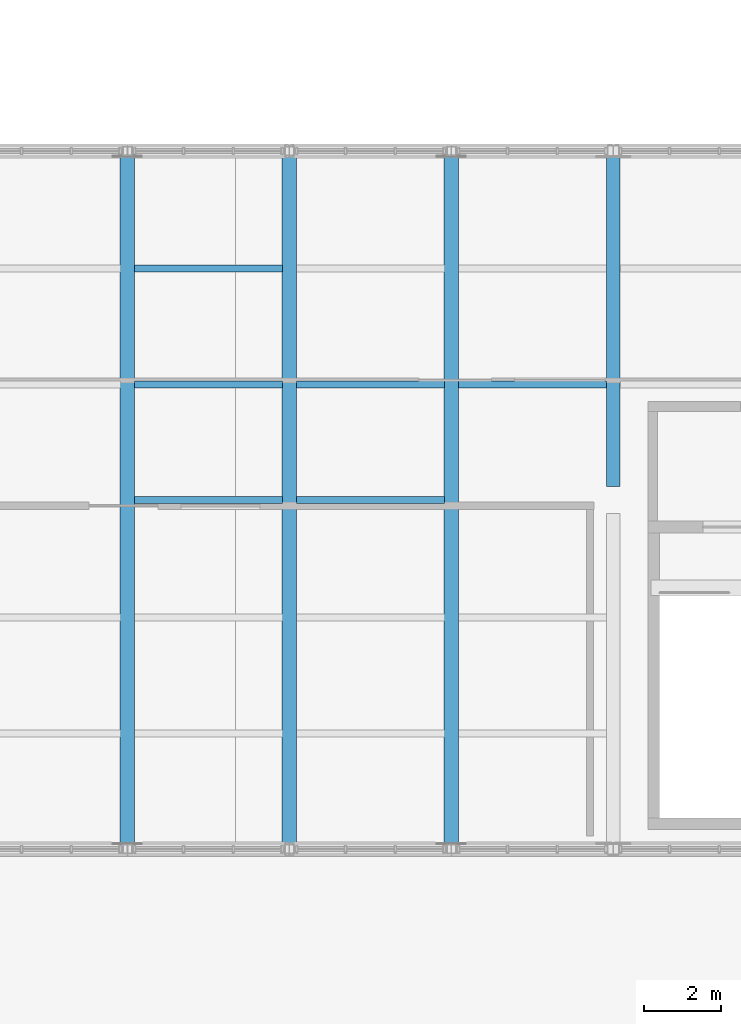
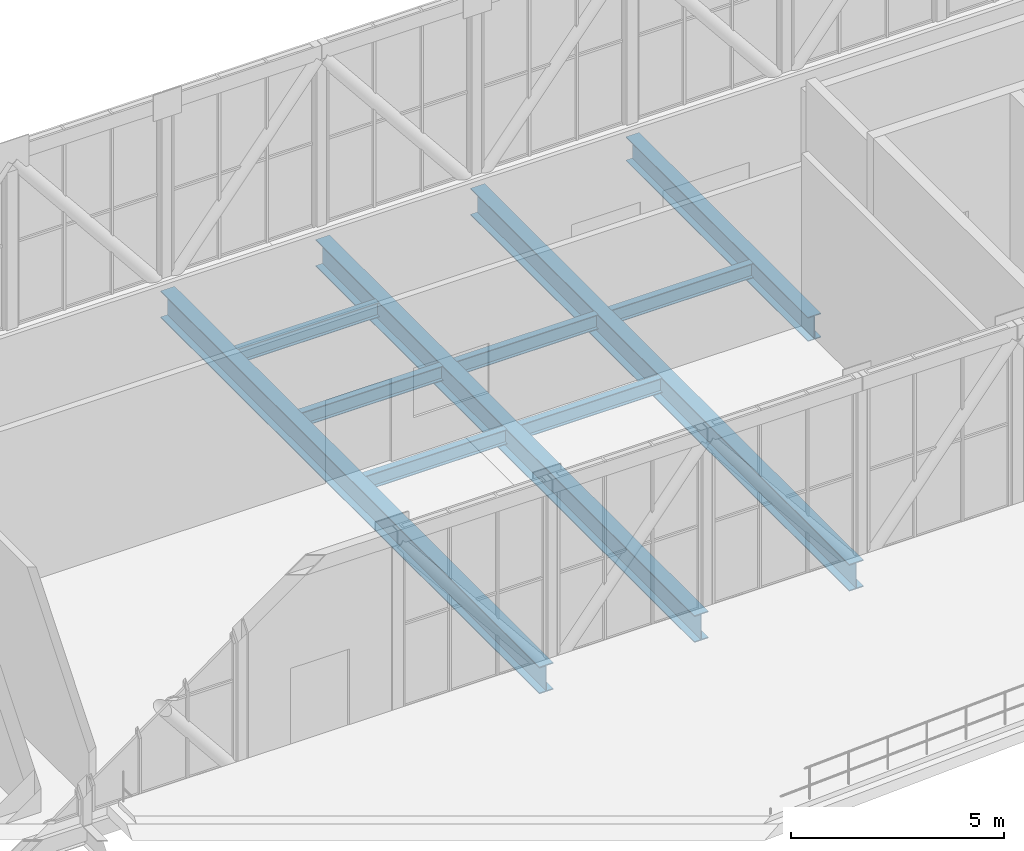
# One storey, part 21 of 58: 10 beams.
"""IFC4 building model written with IfcOpenShell, lengths in metres."""

from ifc_helpers import new_model, si_unit, direction, frame, origin, origin_2d, place, context, subcontext, project, spatial, i_section, extrude, material, material_profile, profile_set, type_object, element, save


model = new_model("IFC4")

# Units and contexts
model_context = context("Model", 3, precision=1e-05, world=origin(), true_north=direction((0.0, 1.0)))
body_context = subcontext(model_context, "Body", "Model", "MODEL_VIEW")
ifc_project = project(units=[si_unit("LENGTHUNIT", "METRE"), si_unit("AREAUNIT", "SQUARE_METRE"), si_unit("VOLUMEUNIT", "CUBIC_METRE"), si_unit("PLANEANGLEUNIT", "RADIAN"), si_unit("MASSUNIT", "GRAM", prefix="KILO")], contexts=[model_context])

# Site, building, storey
site_placement = place(None, origin())
site = spatial("IfcSite", under=ifc_project, at=site_placement, CompositionType="ELEMENT")
building_placement = place(site_placement, origin())
building = spatial("IfcBuilding", under=site, at=building_placement, Name="Khurvash Pelagic Aquarium", CompositionType="ELEMENT")
storey_placement = place(building_placement, frame((0.0, 0.0, 24.60009765625)))
storey = spatial("IfcBuildingStorey", under=building, at=storey_placement, Name="L05", CompositionType="ELEMENT", Elevation=24.60009765625)

# Beams
ifc_material = material(Name="Steel ASTM A992 Grade 50", Category="steel")
ifc_material_profile_1 = material_profile(ifc_material, i_section(OverallWidth=0.381103515625, OverallDepth=0.77197265625, WebThickness=0.0166015625, FlangeThickness=0.027099609375, at=origin_2d()), Name="W30X173")
ifc_profile_set_1 = profile_set([ifc_material_profile_1], Name="Steel ASTM A992 Grade 50")
beam_type_1 = type_object("IfcBeamType", Name="BM-08", PredefinedType="BEAM", material=ifc_profile_set_1)
for number, where, z_axis, x_axis, name in (
    (1, (46.199951171875, 11.81005859375, -0.68603515625), (0.0, 1.0, 0.0), (-1.0, 0.0, 0.0), "L05 Sky-Bar Transverse Floor Girder BM-08 N09"),
    (2, (50.39990234375, 11.81005859375, -0.68603515625), (0.0, 1.0, 0.0), (-1.0, 0.0, 0.0), "L05 Sky-Bar Transverse Floor Girder BM-08 N10"),
    (3, (54.60009765625, 11.81005859375, -0.68603515625), (0.0, 1.0, 0.0), (-1.0, 0.0, 0.0), "L05 Sky-Bar Transverse Floor Girder BM-08 N11"),
):
    element("IfcBeam", number, at=place(storey_placement, frame(where, z_axis=z_axis, x_axis=x_axis)), inside=storey, type_object=beam_type_1, Name=name, PredefinedType="BEAM", context=body_context, shape_type="SweptSolid", body=[
        extrude(i_section(OverallWidth=0.381103515625, OverallDepth=0.77197265625, WebThickness=0.0166015625, FlangeThickness=0.027099609375, at=origin_2d()), origin(), (0.0, 0.0, 1.0), 17.780029296875),
    ])
ifc_material_profile_2 = material_profile(ifc_material, i_section(OverallWidth=0.35595703125, OverallDepth=0.696044921875, WebThickness=0.015380859375, FlangeThickness=0.02490234375, at=origin_2d()), Name="W27X146")
ifc_profile_set_2 = profile_set([ifc_material_profile_2], Name="Steel ASTM A992 Grade 50")
beam_type_2 = type_object("IfcBeamType", Name="BM-09", PredefinedType="BEAM", material=ifc_profile_set_2)
beam_1_placement = place(storey_placement, frame((58.800048828125, 21.050048828125, -0.648193359375), z_axis=(0.0, 1.0, 0.0), x_axis=(-1.0, 0.0, 0.0)))
element("IfcBeam", 4, at=beam_1_placement, inside=storey, type_object=beam_type_2, Name="L05 Sky-Bar Transverse Floor Girder BM-09 N12", PredefinedType="BEAM", context=body_context, shape_type="SweptSolid", body=[
    extrude(i_section(OverallWidth=0.35595703125, OverallDepth=0.696044921875, WebThickness=0.015380859375, FlangeThickness=0.02490234375, at=origin_2d()), origin(), (0.0, 0.0, 1.0), 8.5400390625),
])
ifc_material_profile_3 = material_profile(ifc_material, i_section(OverallWidth=0.180908203125, OverallDepth=0.4169921875, WebThickness=0.010986328125, FlangeThickness=0.018310546875, at=origin_2d()), Name="W16X57")
ifc_profile_set_3 = profile_set([ifc_material_profile_3], Name="Steel ASTM A992 Grade 50")
beam_type_3 = type_object("IfcBeamType", Name="JS-03", PredefinedType="JOIST", material=ifc_profile_set_3)
for number, where, z_axis, x_axis, name in (
    (5, (46.3798828125, 20.699951171875, -0.508544921875), (1.0, 0.0, 0.0), (0.0, 1.0, 0.0), "L05 Sky-Bar Floor Joist JS-03 P09"),
    (6, (46.3798828125, 23.699951171875, -0.508544921875), (1.0, 0.0, 0.0), (0.0, 1.0, 0.0), "L05 Sky-Bar Floor Joist JS-03 P09"),
    (7, (46.3798828125, 26.699951171875, -0.508544921875), (1.0, 0.0, 0.0), (0.0, 1.0, 0.0), "L05 Sky-Bar Floor Joist JS-03 P09"),
):
    element("IfcBeam", number, at=place(storey_placement, frame(where, z_axis=z_axis, x_axis=x_axis)), inside=storey, type_object=beam_type_3, Name=name, PredefinedType="JOIST", context=body_context, shape_type="SweptSolid", body=[
        extrude(i_section(OverallWidth=0.180908203125, OverallDepth=0.4169921875, WebThickness=0.010986328125, FlangeThickness=0.018310546875, at=origin_2d()), origin(), (0.0, 0.0, 1.0), 3.840087890625),
    ])
for number, where, z_axis, x_axis, name in (
    (8, (50.580078125, 20.699951171875, -0.508544921875), (1.0, 0.0, 0.0), (0.0, 1.0, 0.0), "L05 Sky-Bar Floor Joist JS-03 P10"),
    (9, (50.580078125, 23.699951171875, -0.508544921875), (1.0, 0.0, 0.0), (0.0, 1.0, 0.0), "L05 Sky-Bar Floor Joist JS-03 P10"),
):
    element("IfcBeam", number, at=place(storey_placement, frame(where, z_axis=z_axis, x_axis=x_axis)), inside=storey, type_object=beam_type_3, Name=name, PredefinedType="JOIST", context=body_context, shape_type="SweptSolid", body=[
        extrude(i_section(OverallWidth=0.180908203125, OverallDepth=0.4169921875, WebThickness=0.010986328125, FlangeThickness=0.018310546875, at=origin_2d()), origin(), (0.0, 0.0, 1.0), 3.83984375),
    ])
beam_2_placement = place(storey_placement, frame((54.780029296875, 23.699951171875, -0.508544921875), z_axis=(1.0, 0.0, 0.0), x_axis=(0.0, 1.0, 0.0)))
element("IfcBeam", 10, at=beam_2_placement, inside=storey, type_object=beam_type_3, Name="L05 Sky-Bar Floor Joist JS-03 P11", PredefinedType="JOIST", context=body_context, shape_type="SweptSolid", body=[
    extrude(i_section(OverallWidth=0.180908203125, OverallDepth=0.4169921875, WebThickness=0.010986328125, FlangeThickness=0.018310546875, at=origin_2d()), origin(), (0.0, 0.0, 1.0), 3.840087890625),
])

save(model, "model.ifc")
